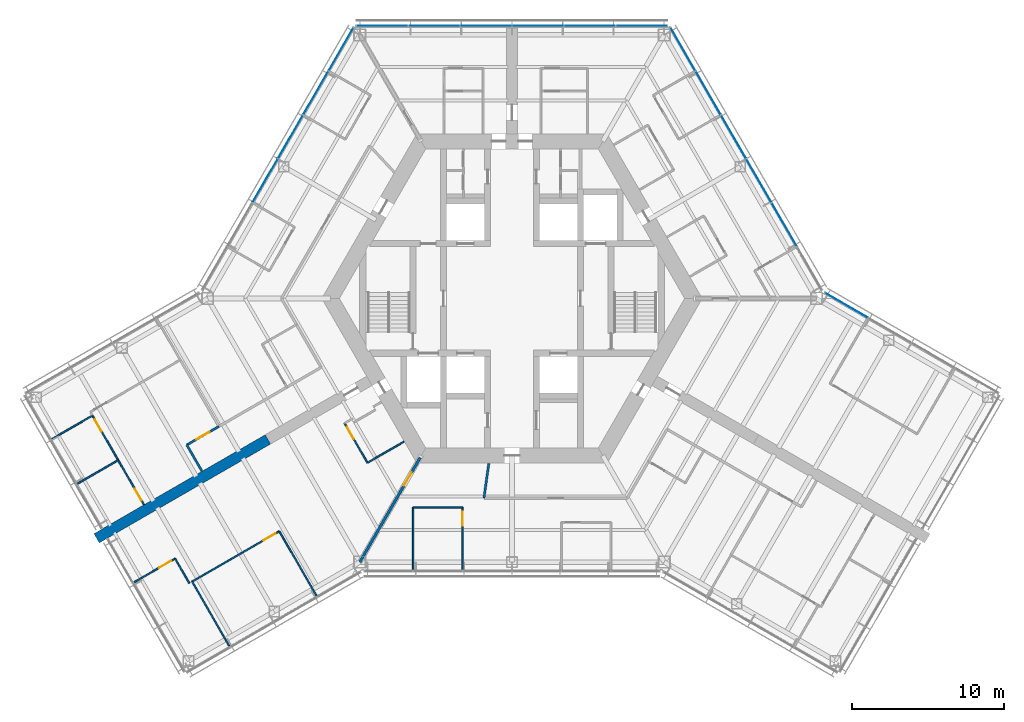
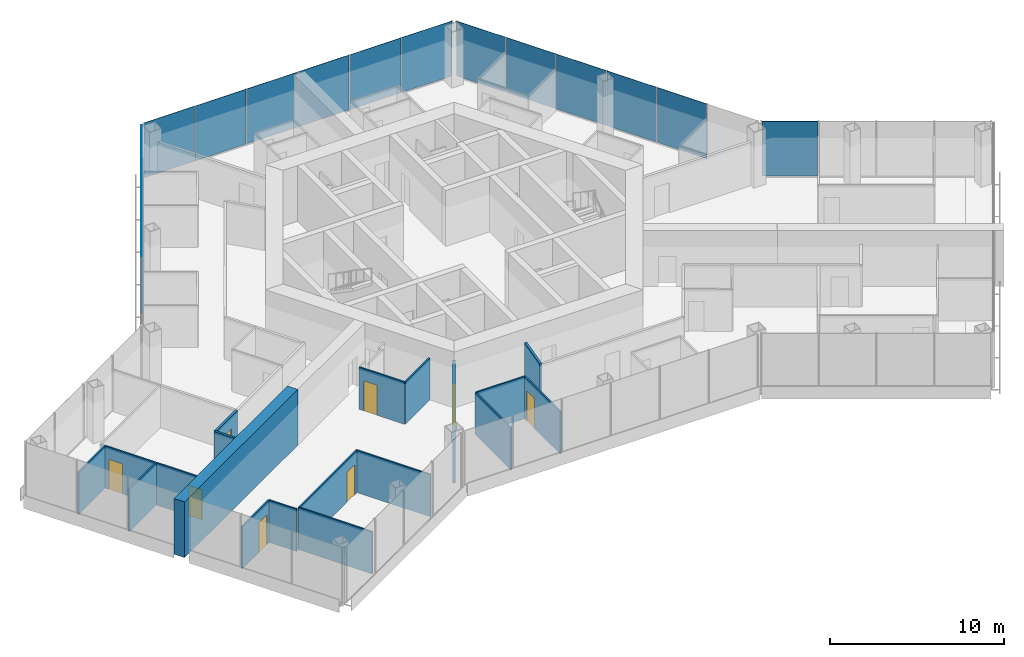
# One storey, part 11 of 19: 19 walls, 16 plates, 8 doors, 8 openings, 4 elements without a shape of their own.
"""IFC4 building model written with IfcOpenShell, lengths in metres."""

from ifc_helpers import new_model, si_unit, direction, frame, frame_2d, origin, origin_2d, place, context, subcontext, project, spatial, rectangle, extrude, material, layer, layer_set, type_object, element, fill, aggregate, save


model = new_model("IFC4")

# Units and contexts
model_context = context("Model", 3, precision=1e-05, world=origin(), true_north=direction((0.0, 1.0)))
body_context = subcontext(model_context, "Body", "Model", "MODEL_VIEW")
ifc_project = project(units=[si_unit("LENGTHUNIT", "METRE"), si_unit("AREAUNIT", "SQUARE_METRE"), si_unit("VOLUMEUNIT", "CUBIC_METRE"), si_unit("PLANEANGLEUNIT", "RADIAN"), si_unit("MASSUNIT", "GRAM", prefix="KILO")], contexts=[model_context])

# Site, building, storey
site_placement = place(None, origin())
site = spatial("IfcSite", under=ifc_project, at=site_placement, CompositionType="ELEMENT")
building_placement = place(site_placement, origin())
building = spatial("IfcBuilding", under=site, at=building_placement, Name="Kasaneha Research Tower", CompositionType="ELEMENT")
storey_placement = place(building_placement, frame((0.0, 0.0, 160.39990234375)))
storey = spatial("IfcBuildingStorey", under=building, at=storey_placement, Name="L40", CompositionType="ELEMENT", Elevation=160.39990234375)

# Curtain wall, plate
ifc_material_1 = material(Name="Glass and aluminium", Category="aluminium")
curtain_wall_type = type_object("IfcCurtainWallType", Name="Mid-rise office curtain wall", PredefinedType="USERDEFINED", material=ifc_material_1)
curtain_wall_1_placement = place(storey_placement, origin())
curtain_wall_1 = element("IfcCurtainWall", 1, at=curtain_wall_1_placement, inside=storey, type_object=curtain_wall_type, Name="CW-O2 L40 run 05a", ObjectType="UNITISED CURTAIN WALL", PredefinedType="USERDEFINED")
ifc_material_2 = material(Name="Laminated double glazing", Category="glass")
ifc_layer_1 = layer(ifc_material_2, 0.02587890625)
ifc_layer_set_1 = layer_set([ifc_layer_1], Name="CW-O2 glazed panel")
plate_type = type_object("IfcPlateType", Name="CW-O2 glazed panel", PredefinedType="CURTAIN_PANEL", material=ifc_layer_set_1)
plate_1_placement = place(storey_placement, frame((21.971923828125, -0.44580078125, 0.06005859375), z_axis=(0.0, 0.0, 1.0), x_axis=(-0.866025411464, 0.499999986699, 0.0)))
plate_1 = element("IfcPlate", 2, at=plate_1_placement, type_object=plate_type, Name="CW-O2 panel 4", PredefinedType="CURTAIN_PANEL", context=body_context, shape_type="SweptSolid", body=[
    extrude(rectangle(XDim=3.2197265625, YDim=0.02587890625, at=origin_2d()), origin(), (0.0, 0.0, 1.0), 3.840087890625),
])
aggregate(curtain_wall_1, [plate_1])

# Curtain wall, plates
curtain_wall_2_placement = place(storey_placement, origin())
curtain_wall_2 = element("IfcCurtainWall", 3, at=curtain_wall_2_placement, inside=storey, type_object=curtain_wall_type, Name="CW-O2 L40 run 06a", ObjectType="UNITISED CURTAIN WALL", PredefinedType="USERDEFINED")
plate_2_placement = place(storey_placement, frame((17.89111328125, 4.852783203125, 0.06005859375), z_axis=(0.0, 0.0, 1.0), x_axis=(-0.499999979232, 0.866025415775, 0.0)))
plate_2 = element("IfcPlate", 4, at=plate_2_placement, type_object=plate_type, Name="CW-O2 panel 2", PredefinedType="CURTAIN_PANEL", context=body_context, shape_type="SweptSolid", body=[
    extrude(rectangle(XDim=3.27099609375, YDim=0.02587890625, at=origin_2d()), origin(), (0.0, 0.0, 1.0), 3.840087890625),
])
plate_3_placement = place(storey_placement, frame((16.2255859375, 7.737548828125, 0.06005859375), z_axis=(0.0, 0.0, 1.0), x_axis=(-0.499999979232, 0.866025415775, 0.0)))
plate_3 = element("IfcPlate", 5, at=plate_3_placement, type_object=plate_type, Name="CW-O2 panel 3", PredefinedType="CURTAIN_PANEL", context=body_context, shape_type="SweptSolid", body=[
    extrude(rectangle(XDim=3.27099609375, YDim=0.02587890625, at=origin_2d()), origin(), (0.0, 0.0, 1.0), 3.840087890625),
])
plate_4_placement = place(storey_placement, frame((14.56005859375, 10.622314453125, 0.06005859375), z_axis=(0.0, 0.0, 1.0), x_axis=(-0.499999979232, 0.866025415775, 0.0)))
plate_4 = element("IfcPlate", 6, at=plate_4_placement, type_object=plate_type, Name="CW-O2 panel 4", PredefinedType="CURTAIN_PANEL", context=body_context, shape_type="SweptSolid", body=[
    extrude(rectangle(XDim=3.27099609375, YDim=0.02587890625, at=origin_2d()), origin(), (0.0, 0.0, 1.0), 3.840087890625),
])
plate_5_placement = place(storey_placement, frame((12.89453125, 13.5068359375, 0.06005859375), z_axis=(0.0, 0.0, 1.0), x_axis=(-0.499999979232, 0.866025415775, 0.0)))
plate_5 = element("IfcPlate", 7, at=plate_5_placement, type_object=plate_type, Name="CW-O2 panel 5", PredefinedType="CURTAIN_PANEL", context=body_context, shape_type="SweptSolid", body=[
    extrude(rectangle(XDim=3.27099609375, YDim=0.02587890625, at=origin_2d()), origin(), (0.0, 0.0, 1.0), 3.840087890625),
])
plate_6_placement = place(storey_placement, frame((11.236572265625, 16.378662109375, 0.06005859375), z_axis=(0.0, 0.0, 1.0), x_axis=(-0.499999979232, 0.866025415775, 0.0)))
plate_6 = element("IfcPlate", 8, at=plate_6_placement, type_object=plate_type, Name="CW-O2 panel 6", PredefinedType="CURTAIN_PANEL", context=body_context, shape_type="SweptSolid", body=[
    extrude(rectangle(XDim=3.240966796875, YDim=0.02587890625, at=origin_2d()), origin(), (0.0, 0.0, 1.0), 3.840087890625),
])
aggregate(curtain_wall_2, [plate_2, plate_3, plate_4, plate_5, plate_6])

curtain_wall_3_placement = place(storey_placement, origin())
curtain_wall_3 = element("IfcCurtainWall", 9, at=curtain_wall_3_placement, inside=storey, type_object=curtain_wall_type, Name="CW-O2 L40 run 07a", ObjectType="UNITISED CURTAIN WALL", PredefinedType="USERDEFINED")
plate_7_placement = place(storey_placement, frame((8.523681640625, 17.92041015625, 0.06005859375), z_axis=(0.0, 0.0, 1.0), x_axis=(-1.0, 0.0, 0.0)))
plate_7 = element("IfcPlate", 10, at=plate_7_placement, type_object=plate_type, Name="CW-O2 panel 1", PredefinedType="CURTAIN_PANEL", context=body_context, shape_type="SweptSolid", body=[
    extrude(rectangle(XDim=3.325439453125, YDim=0.02587890625, at=origin_2d()), origin(), (0.0, 0.0, 1.0), 3.840087890625),
])
plate_8_placement = place(storey_placement, frame((5.123291015625, 17.92041015625, 0.06005859375), z_axis=(0.0, 0.0, 1.0), x_axis=(-1.0, 0.0, 0.0)))
plate_8 = element("IfcPlate", 11, at=plate_8_placement, type_object=plate_type, Name="CW-O2 panel 2", PredefinedType="CURTAIN_PANEL", context=body_context, shape_type="SweptSolid", body=[
    extrude(rectangle(XDim=3.35546875, YDim=0.02587890625, at=origin_2d()), origin(), (0.0, 0.0, 1.0), 3.840087890625),
])
plate_9_placement = place(storey_placement, frame((1.707763671875, 17.92041015625, 0.06005859375), z_axis=(0.0, 0.0, 1.0), x_axis=(-1.0, 0.0, 0.0)))
plate_9 = element("IfcPlate", 12, at=plate_9_placement, type_object=plate_type, Name="CW-O2 panel 3", PredefinedType="CURTAIN_PANEL", context=body_context, shape_type="SweptSolid", body=[
    extrude(rectangle(XDim=3.35546875, YDim=0.02587890625, at=origin_2d()), origin(), (0.0, 0.0, 1.0), 3.840087890625),
])
plate_10_placement = place(storey_placement, frame((-1.707763671875, 17.92041015625, 0.06005859375), z_axis=(0.0, 0.0, 1.0), x_axis=(-1.0, 0.0, 0.0)))
plate_10 = element("IfcPlate", 13, at=plate_10_placement, type_object=plate_type, Name="CW-O2 panel 4", PredefinedType="CURTAIN_PANEL", context=body_context, shape_type="SweptSolid", body=[
    extrude(rectangle(XDim=3.35546875, YDim=0.02587890625, at=origin_2d()), origin(), (0.0, 0.0, 1.0), 3.840087890625),
])
plate_11_placement = place(storey_placement, frame((-5.123291015625, 17.92041015625, 0.06005859375), z_axis=(0.0, 0.0, 1.0), x_axis=(-1.0, 0.0, 0.0)))
plate_11 = element("IfcPlate", 14, at=plate_11_placement, type_object=plate_type, Name="CW-O2 panel 5", PredefinedType="CURTAIN_PANEL", context=body_context, shape_type="SweptSolid", body=[
    extrude(rectangle(XDim=3.35546875, YDim=0.02587890625, at=origin_2d()), origin(), (0.0, 0.0, 1.0), 3.840087890625),
])
plate_12_placement = place(storey_placement, frame((-8.523681640625, 17.92041015625, 0.06005859375), z_axis=(0.0, 0.0, 1.0), x_axis=(-1.0, 0.0, 0.0)))
plate_12 = element("IfcPlate", 15, at=plate_12_placement, type_object=plate_type, Name="CW-O2 panel 6", PredefinedType="CURTAIN_PANEL", context=body_context, shape_type="SweptSolid", body=[
    extrude(rectangle(XDim=3.325439453125, YDim=0.02587890625, at=origin_2d()), origin(), (0.0, 0.0, 1.0), 3.840087890625),
])
aggregate(curtain_wall_3, [plate_7, plate_8, plate_9, plate_10, plate_11, plate_12])

curtain_wall_4_placement = place(storey_placement, origin())
curtain_wall_4 = element("IfcCurtainWall", 16, at=curtain_wall_4_placement, inside=storey, type_object=curtain_wall_type, Name="CW-O2 L40 run 08a", ObjectType="UNITISED CURTAIN WALL", PredefinedType="USERDEFINED")
plate_13_placement = place(storey_placement, frame((-11.236572265625, 16.378662109375, 0.06005859375), z_axis=(0.0, 0.0, 1.0), x_axis=(-0.499999979232, -0.866025415775, 0.0)))
plate_13 = element("IfcPlate", 17, at=plate_13_placement, type_object=plate_type, Name="CW-O2 panel 1", PredefinedType="CURTAIN_PANEL", context=body_context, shape_type="SweptSolid", body=[
    extrude(rectangle(XDim=3.240966796875, YDim=0.02587890625, at=origin_2d()), origin(), (0.0, 0.0, 1.0), 3.840087890625),
])
plate_14_placement = place(storey_placement, frame((-12.89453125, 13.5068359375, 0.06005859375), z_axis=(0.0, 0.0, 1.0), x_axis=(-0.499999979232, -0.866025415775, 0.0)))
plate_14 = element("IfcPlate", 18, at=plate_14_placement, type_object=plate_type, Name="CW-O2 panel 2", PredefinedType="CURTAIN_PANEL", context=body_context, shape_type="SweptSolid", body=[
    extrude(rectangle(XDim=3.27099609375, YDim=0.02587890625, at=origin_2d()), origin(), (0.0, 0.0, 1.0), 3.840087890625),
])
plate_15_placement = place(storey_placement, frame((-14.56005859375, 10.622314453125, 0.06005859375), z_axis=(0.0, 0.0, 1.0), x_axis=(-0.499999979232, -0.866025415775, 0.0)))
plate_15 = element("IfcPlate", 19, at=plate_15_placement, type_object=plate_type, Name="CW-O2 panel 3", PredefinedType="CURTAIN_PANEL", context=body_context, shape_type="SweptSolid", body=[
    extrude(rectangle(XDim=3.27099609375, YDim=0.02587890625, at=origin_2d()), origin(), (0.0, 0.0, 1.0), 3.840087890625),
])
plate_16_placement = place(storey_placement, frame((-16.2255859375, 7.737548828125, 0.06005859375), z_axis=(0.0, 0.0, 1.0), x_axis=(-0.499999979232, -0.866025415775, 0.0)))
plate_16 = element("IfcPlate", 20, at=plate_16_placement, type_object=plate_type, Name="CW-O2 panel 4", PredefinedType="CURTAIN_PANEL", context=body_context, shape_type="SweptSolid", body=[
    extrude(rectangle(XDim=3.27099609375, YDim=0.02587890625, at=origin_2d()), origin(), (0.0, 0.0, 1.0), 3.840087890625),
])
aggregate(curtain_wall_4, [plate_13, plate_14, plate_15, plate_16])

# Walls
ifc_material_3 = material(Name="Gypsum board on steel studs, one layer each side", Category="steel")
ifc_layer_2 = layer(ifc_material_3, 0.10009765625)
ifc_layer_set_2 = layer_set([ifc_layer_2], Name="Office partition 100")
wall_type_1 = type_object("IfcWallType", Name="Office partition 100", PredefinedType="PARTITIONING", material=ifc_layer_set_2)
wall_1_placement = place(storey_placement, frame((-27.56689453125, -7.6923828125, 0.0), z_axis=(0.0, 0.0, 1.0), x_axis=(-0.86525260674, -0.501336141256, 0.0)))
element("IfcWall", 21, at=wall_1_placement, inside=storey, type_object=wall_type_1, Name="Office partition FBN09 L40", PredefinedType="PARTITIONING", context=body_context, shape_type="SweptSolid", body=[
    extrude(rectangle(XDim=3.08056640625, YDim=0.10009765625, at=frame_2d((1.540283203125, 0.0))), origin(), (0.0, 0.0, 1.0), 2.9501953125),
])
wall_2_placement = place(storey_placement, frame((-25.875732421875, -10.622802734375, 0.0), z_axis=(0.0, 0.0, 1.0), x_axis=(-0.865212673937, -0.50140505468, 0.0)))
element("IfcWall", 22, at=wall_2_placement, inside=storey, type_object=wall_type_1, Name="Office partition FBN12 L40", PredefinedType="PARTITIONING", context=body_context, shape_type="SweptSolid", body=[
    extrude(rectangle(XDim=3.10498046875, YDim=0.10009765625, at=frame_2d((1.552490234375, 0.0))), origin(), (0.0, 0.0, 1.0), 2.9501953125),
])

# Wall, opening, door
wall_3_placement = place(storey_placement, frame((-27.568603515625, -7.698974609375, 0.0), z_axis=(0.0, 0.0, 1.0), x_axis=(0.49998062928, -0.866036587186, 0.0)))
wall_3 = element("IfcWall", 23, at=wall_3_placement, inside=storey, type_object=wall_type_1, Name="Office partition FBN13 L40", PredefinedType="PARTITIONING", context=body_context, shape_type="SweptSolid", body=[
    extrude(rectangle(XDim=3.383544921875, YDim=0.10009765625, at=frame_2d((1.69189453125, 0.0))), origin(), (0.0, 0.0, 1.0), 2.9501953125),
])
opening_1_placement = place(wall_3_placement, frame((0.300048828125, 0.0, 0.0)))
opening_1 = element("IfcOpeningElement", 24, at=opening_1_placement, cuts=wall_3, Name="Opening L40-D38", PredefinedType="OPENING", context=body_context, shape_type="SweptSolid", body=[
    extrude(rectangle(XDim=0.89990234375, YDim=2.10009765625, at=frame_2d((0.449951171875, 1.050048828125))), frame((0.0, 0.06005859375, 0.0), z_axis=(0.0, -1.0, 0.0), x_axis=(1.0, 0.0, 0.0)), (0.0, 0.0, 1.0), 0.1201171875),
])
ifc_material_4 = material(Name="Timber veneer", Category="wood")
door_type_1 = type_object("IfcDoorType", Name="Office door 900x2100", OperationType="SINGLE_SWING_LEFT", PredefinedType="DOOR", material=ifc_material_4)
door_1_placement = place(opening_1_placement, origin())
door_1 = element("IfcDoor", 25, at=door_1_placement, inside=storey, type_object=door_type_1, Name="Manager's office door L40-D38", OperationType="SINGLE_SWING_LEFT", OverallHeight=2.10009765625, OverallWidth=0.89990234375, PredefinedType="DOOR", context=body_context, shape_type="SweptSolid", body=[
    extrude(rectangle(XDim=0.89990234375, YDim=2.10009765625, at=frame_2d((0.449951171875, 1.050048828125))), frame((0.0, 0.02490234375, 0.0), z_axis=(0.0, -1.0, 0.0), x_axis=(1.0, 0.0, 0.0)), (0.0, 0.0, 1.0), 0.050048828125),
])
fill(opening_1, door_1)

wall_4_placement = place(storey_placement, frame((-25.876953125, -10.629150390625, 0.0), z_axis=(0.0, 0.0, 1.0), x_axis=(0.501079190578, -0.865401435618, 0.0)))
wall_4 = element("IfcWall", 26, at=wall_4_placement, inside=storey, type_object=wall_type_1, Name="Office partition FBN14 L40", PredefinedType="PARTITIONING", context=body_context, shape_type="SweptSolid", body=[
    extrude(rectangle(XDim=3.36328125, YDim=0.10009765625, at=frame_2d((1.681640625, 0.0))), origin(), (0.0, 0.0, 1.0), 2.9501953125),
])
opening_2_placement = place(wall_4_placement, frame((2.163330078125, 0.0, 0.0)))
opening_2 = element("IfcOpeningElement", 27, at=opening_2_placement, cuts=wall_4, Name="Opening L40-D39", PredefinedType="OPENING", context=body_context, shape_type="SweptSolid", body=[
    extrude(rectangle(XDim=0.89990234375, YDim=2.10009765625, at=frame_2d((0.449951171875, 1.050048828125))), frame((0.0, 0.06005859375, 0.0), z_axis=(0.0, -1.0, 0.0), x_axis=(1.0, 0.0, 0.0)), (0.0, 0.0, 1.0), 0.1201171875),
])
door_2_placement = place(opening_2_placement, origin())
door_2 = element("IfcDoor", 28, at=door_2_placement, inside=storey, type_object=door_type_1, Name="Manager's office door L40-D39", OperationType="SINGLE_SWING_RIGHT", OverallHeight=2.10009765625, OverallWidth=0.89990234375, PredefinedType="DOOR", context=body_context, shape_type="SweptSolid", body=[
    extrude(rectangle(XDim=0.89990234375, YDim=2.10009765625, at=frame_2d((0.449951171875, 1.050048828125))), frame((0.0, 0.02490234375, 0.0), z_axis=(0.0, -1.0, 0.0), x_axis=(1.0, 0.0, 0.0)), (0.0, 0.0, 1.0), 0.050048828125),
])
fill(opening_2, door_2)

wall_5_placement = place(storey_placement, frame((-9.49951171875, -10.796142578125, 0.0), z_axis=(0.0, 0.0, 1.0), x_axis=(-0.499990139034, 0.866031096941, 0.0)))
wall_5 = element("IfcWall", 29, at=wall_5_placement, inside=storey, type_object=wall_type_1, Name="Office partition FBS03 L40", PredefinedType="PARTITIONING", context=body_context, shape_type="SweptSolid", body=[
    extrude(rectangle(XDim=3.0, YDim=0.10009765625, at=frame_2d((1.5, 0.0))), origin(), (0.0, 0.0, 1.0), 2.9501953125),
])
opening_3_placement = place(wall_5_placement, frame((1.800048828125, 0.0, 0.0)))
opening_3 = element("IfcOpeningElement", 30, at=opening_3_placement, cuts=wall_5, Name="Opening L40-D43", PredefinedType="OPENING", context=body_context, shape_type="SweptSolid", body=[
    extrude(rectangle(XDim=0.89990234375, YDim=2.10009765625, at=frame_2d((0.449951171875, 1.050048828125))), frame((0.0, 0.06005859375, 0.0), z_axis=(0.0, -1.0, 0.0), x_axis=(1.0, 0.0, 0.0)), (0.0, 0.0, 1.0), 0.1201171875),
])
door_3_placement = place(opening_3_placement, origin())
door_3 = element("IfcDoor", 31, at=door_3_placement, inside=storey, type_object=door_type_1, Name="Pantry door L40-D43", OperationType="SINGLE_SWING_RIGHT", OverallHeight=2.10009765625, OverallWidth=0.89990234375, PredefinedType="DOOR", context=body_context, shape_type="SweptSolid", body=[
    extrude(rectangle(XDim=0.89990234375, YDim=2.10009765625, at=frame_2d((0.449951171875, 1.050048828125))), frame((0.0, 0.02490234375, 0.0), z_axis=(0.0, -1.0, 0.0), x_axis=(1.0, 0.0, 0.0)), (0.0, 0.0, 1.0), 0.050048828125),
])
fill(opening_3, door_3)

# Walls
wall_6_placement = place(storey_placement, frame((-7.092041015625, -9.40625, 0.0), z_axis=(0.0, 0.0, 1.0), x_axis=(-0.86603494908, -0.499983466698, 0.0)))
element("IfcWall", 32, at=wall_6_placement, inside=storey, type_object=wall_type_1, Name="Office partition FBS05 L40", PredefinedType="PARTITIONING", context=body_context, shape_type="SweptSolid", body=[
    extrude(rectangle(XDim=2.77978515625, YDim=0.10009765625, at=frame_2d((1.389892578125, 0.0))), origin(), (0.0, 0.0, 1.0), 2.9501953125),
])
wall_7_placement = place(storey_placement, frame((-18.5849609375, -22.831298828125, 0.0), z_axis=(0.0, 0.0, 1.0), x_axis=(-0.499029341865, 0.8665850887, 0.0)))
element("IfcWall", 33, at=wall_7_placement, inside=storey, type_object=wall_type_1, Name="Office partition FBS06 L40", PredefinedType="PARTITIONING", context=body_context, shape_type="SweptSolid", body=[
    extrude(rectangle(XDim=4.880126953125, YDim=0.10009765625, at=frame_2d((2.43994140625, 0.0))), origin(), (0.0, 0.0, 1.0), 2.9501953125),
])

# Wall, opening, door
wall_8_placement = place(storey_placement, frame((-21.02294921875, -18.608642578125, 0.0), z_axis=(0.0, 0.0, 1.0), x_axis=(0.865724093718, 0.500521521571, 0.0)))
wall_8 = element("IfcWall", 34, at=wall_8_placement, inside=storey, type_object=wall_type_1, Name="Office partition FBS07 L40", PredefinedType="PARTITIONING", context=body_context, shape_type="SweptSolid", body=[
    extrude(rectangle(XDim=6.61962890625, YDim=0.10009765625, at=frame_2d((3.309814453125, 0.0))), origin(), (0.0, 0.0, 1.0), 2.9501953125),
])
opening_4_placement = place(wall_8_placement, frame((5.419677734375, 0.0, 0.0)))
opening_4 = element("IfcOpeningElement", 35, at=opening_4_placement, cuts=wall_8, Name="Opening L40-D44", PredefinedType="OPENING", context=body_context, shape_type="SweptSolid", body=[
    extrude(rectangle(XDim=0.89990234375, YDim=2.10009765625, at=frame_2d((0.449951171875, 1.050048828125))), frame((0.0, 0.06005859375, 0.0), z_axis=(0.0, -1.0, 0.0), x_axis=(1.0, 0.0, 0.0)), (0.0, 0.0, 1.0), 0.1201171875),
])
door_4_placement = place(opening_4_placement, origin())
door_4 = element("IfcDoor", 36, at=door_4_placement, inside=storey, type_object=door_type_1, Name="Meeting room door L40-D44", OperationType="SINGLE_SWING_RIGHT", OverallHeight=2.10009765625, OverallWidth=0.89990234375, PredefinedType="DOOR", context=body_context, shape_type="SweptSolid", body=[
    extrude(rectangle(XDim=0.89990234375, YDim=2.10009765625, at=frame_2d((0.449951171875, 1.050048828125))), frame((0.0, 0.02490234375, 0.0), z_axis=(0.0, -1.0, 0.0), x_axis=(1.0, 0.0, 0.0)), (0.0, 0.0, 1.0), 0.050048828125),
])
fill(opening_4, door_4)

# Wall
wall_9_placement = place(storey_placement, frame((-15.292236328125, -15.29541015625, 0.0), z_axis=(0.0, 0.0, 1.0), x_axis=(0.50002548385, -0.866010690177, 0.0)))
element("IfcWall", 37, at=wall_9_placement, inside=storey, type_object=wall_type_1, Name="Office partition FBS08 L40", PredefinedType="PARTITIONING", context=body_context, shape_type="SweptSolid", body=[
    extrude(rectangle(XDim=4.905029296875, YDim=0.10009765625, at=frame_2d((2.45263671875, 0.0))), origin(), (0.0, 0.0, 1.0), 2.9501953125),
])

# Wall, opening, door
wall_10_placement = place(storey_placement, frame((-24.8291015625, -18.64599609375, 0.0), z_axis=(0.0, 0.0, 1.0), x_axis=(0.866042875753, 0.499969736442, 0.0)))
wall_10 = element("IfcWall", 38, at=wall_10_placement, inside=storey, type_object=wall_type_1, Name="Office partition FBS09 L40", PredefinedType="PARTITIONING", context=body_context, shape_type="SweptSolid", body=[
    extrude(rectangle(XDim=3.105224609375, YDim=0.10009765625, at=frame_2d((1.552734375, 0.0))), origin(), (0.0, 0.0, 1.0), 2.9501953125),
])
opening_5_placement = place(wall_10_placement, frame((1.905029296875, 0.0, 0.0)))
opening_5 = element("IfcOpeningElement", 39, at=opening_5_placement, cuts=wall_10, Name="Opening L40-D45", PredefinedType="OPENING", context=body_context, shape_type="SweptSolid", body=[
    extrude(rectangle(XDim=0.89990234375, YDim=2.10009765625, at=frame_2d((0.449951171875, 1.050048828125))), frame((0.0, 0.06005859375, 0.0), z_axis=(0.0, -1.0, 0.0), x_axis=(1.0, 0.0, 0.0)), (0.0, 0.0, 1.0), 0.1201171875),
])
door_5_placement = place(opening_5_placement, origin())
door_5 = element("IfcDoor", 40, at=door_5_placement, inside=storey, type_object=door_type_1, Name="Project room door L40-D45", OperationType="SINGLE_SWING_RIGHT", OverallHeight=2.10009765625, OverallWidth=0.89990234375, PredefinedType="DOOR", context=body_context, shape_type="SweptSolid", body=[
    extrude(rectangle(XDim=0.89990234375, YDim=2.10009765625, at=frame_2d((0.449951171875, 1.050048828125))), frame((0.0, 0.02490234375, 0.0), z_axis=(0.0, -1.0, 0.0), x_axis=(1.0, 0.0, 0.0)), (0.0, 0.0, 1.0), 0.050048828125),
])
fill(opening_5, door_5)

# Walls
wall_11_placement = place(storey_placement, frame((-22.139892578125, -17.093505859375, 0.0), z_axis=(0.0, 0.0, 1.0), x_axis=(0.500473827914, -0.865751666226, 0.0)))
element("IfcWall", 41, at=wall_11_placement, inside=storey, type_object=wall_type_1, Name="Office partition FBS10 L40", PredefinedType="PARTITIONING", context=body_context, shape_type="SweptSolid", body=[
    extrude(rectangle(XDim=1.865478515625, YDim=0.10009765625, at=frame_2d((0.9326171875, 0.0))), origin(), (0.0, 0.0, 1.0), 2.9501953125),
])
wall_12_placement = place(storey_placement, frame((-6.492919921875, -17.800537109375, 0.0), z_axis=(0.0, 0.0, 1.0), x_axis=(0.0, 1.0, 0.0)))
element("IfcWall", 42, at=wall_12_placement, inside=storey, type_object=wall_type_1, Name="Office partition FCS17 L40", PredefinedType="PARTITIONING", context=body_context, shape_type="SweptSolid", body=[
    extrude(rectangle(XDim=4.080078125, YDim=0.10009765625, at=frame_2d((2.0400390625, 0.0))), origin(), (0.0, 0.0, 1.0), 2.9501953125),
])
wall_13_placement = place(storey_placement, frame((-6.492919921875, -13.720458984375, 0.0), z_axis=(0.0, 0.0, 1.0), x_axis=(1.0, 0.0, 0.0)))
element("IfcWall", 43, at=wall_13_placement, inside=storey, type_object=wall_type_1, Name="Office partition FCS18 L40", PredefinedType="PARTITIONING", context=body_context, shape_type="SweptSolid", body=[
    extrude(rectangle(XDim=3.24658203125, YDim=0.10009765625, at=frame_2d((1.623291015625, 0.0))), origin(), (0.0, 0.0, 1.0), 2.9501953125),
])

# Wall, opening, door
wall_14_placement = place(storey_placement, frame((-3.246337890625, -13.720458984375, 0.0), z_axis=(0.0, 0.0, 1.0), x_axis=(0.0, -1.0, 0.0)))
wall_14 = element("IfcWall", 44, at=wall_14_placement, inside=storey, type_object=wall_type_1, Name="Office partition FCS19 L40", PredefinedType="PARTITIONING", context=body_context, shape_type="SweptSolid", body=[
    extrude(rectangle(XDim=4.130126953125, YDim=0.10009765625, at=frame_2d((2.06494140625, 0.0))), origin(), (0.0, 0.0, 1.0), 2.9501953125),
])
opening_6_placement = place(wall_14_placement, frame((0.300048828125, 0.0, 0.0)))
opening_6 = element("IfcOpeningElement", 45, at=opening_6_placement, cuts=wall_14, Name="Opening L40-D53", PredefinedType="OPENING", context=body_context, shape_type="SweptSolid", body=[
    extrude(rectangle(XDim=0.89990234375, YDim=2.10009765625, at=frame_2d((0.449951171875, 1.050048828125))), frame((0.0, 0.06005859375, 0.0), z_axis=(0.0, -1.0, 0.0), x_axis=(1.0, 0.0, 0.0)), (0.0, 0.0, 1.0), 0.1201171875),
])
door_6_placement = place(opening_6_placement, origin())
door_6 = element("IfcDoor", 46, at=door_6_placement, inside=storey, type_object=door_type_1, Name="Manager's office door L40-D53", OperationType="SINGLE_SWING_LEFT", OverallHeight=2.10009765625, OverallWidth=0.89990234375, PredefinedType="DOOR", context=body_context, shape_type="SweptSolid", body=[
    extrude(rectangle(XDim=0.89990234375, YDim=2.10009765625, at=frame_2d((0.449951171875, 1.050048828125))), frame((0.0, 0.02490234375, 0.0), z_axis=(0.0, -1.0, 0.0), x_axis=(1.0, 0.0, 0.0)), (0.0, 0.0, 1.0), 0.050048828125),
])
fill(opening_6, door_6)

# Wall
ifc_material_5 = material(Name="Concrete Fc70", Category="concrete")
ifc_layer_3 = layer(ifc_material_5, 0.699951171875)
ifc_layer_set_3 = layer_set([ifc_layer_3], Name="Spine wall 700 Fc70")
wall_type_2 = type_object("IfcWallType", Name="Spine wall 700 Fc70", PredefinedType="SHEAR", material=ifc_layer_set_3)
wall_15_placement = place(storey_placement, frame((-16.039306640625, -9.26025390625, 0.0), z_axis=(0.0, 0.0, 1.0), x_axis=(-0.866024837091, -0.50000098154, 0.0)))
element("IfcWall", 47, at=wall_15_placement, inside=storey, type_object=wall_type_2, Name="Spine wall B wing L40", PredefinedType="SHEAR", context=body_context, shape_type="SweptSolid", body=[
    extrude(rectangle(XDim=13.0, YDim=0.699951171875, at=frame_2d((6.5, 0.0))), origin(), (0.0, 0.0, 1.0), 3.900146484375),
])

# Wall, opening, door
ifc_material_6 = material(Name="Gypsum board on steel studs, two layers each side", Category="steel")
ifc_layer_4 = layer(ifc_material_6, 0.14990234375)
ifc_layer_set_4 = layer_set([ifc_layer_4], Name="Suite partition 150")
wall_type_3 = type_object("IfcWallType", Name="Suite partition 150", PredefinedType="PARTITIONING", material=ifc_layer_set_4)
wall_16_placement = place(storey_placement, frame((-21.37109375, -9.625, 0.0), z_axis=(0.0, 0.0, 1.0), x_axis=(0.866043624834, 0.499968438888, 0.0)))
wall_16 = element("IfcWall", 48, at=wall_16_placement, inside=storey, type_object=wall_type_3, Name="Suite partition FBN07 L40", PredefinedType="PARTITIONING", context=body_context, shape_type="SweptSolid", body=[
    extrude(rectangle(XDim=2.434326171875, YDim=0.14990234375, at=frame_2d((1.21728515625, 0.0))), origin(), (0.0, 0.0, 1.0), 2.9501953125),
])
opening_7_placement = place(wall_16_placement, frame((0.71728515625, 0.0, 0.0)))
opening_7 = element("IfcOpeningElement", 49, at=opening_7_placement, cuts=wall_16, Name="Opening L40-D36", PredefinedType="OPENING", context=body_context, shape_type="SweptSolid", body=[
    extrude(rectangle(XDim=1.0, YDim=2.10009765625, at=frame_2d((0.5, 1.050048828125))), frame((0.0, 0.0849609375, 0.0), z_axis=(0.0, -1.0, 0.0), x_axis=(1.0, 0.0, 0.0)), (0.0, 0.0, 1.0), 0.169921875),
])
ifc_material_7 = material(Name="Steel", Category="steel")
door_type_2 = type_object("IfcDoorType", Name="Suite entrance door FD60 1000x2100", OperationType="NOTDEFINED", PredefinedType="DOOR", material=ifc_material_7)
door_7_placement = place(opening_7_placement, origin())
door_7 = element("IfcDoor", 50, at=door_7_placement, inside=storey, type_object=door_type_2, Name="Suite entrance door L40-D36", OperationType="SINGLE_SWING_LEFT", OverallHeight=2.10009765625, OverallWidth=1.0, PredefinedType="DOOR", context=body_context, shape_type="SweptSolid", body=[
    extrude(rectangle(XDim=1.0, YDim=2.10009765625, at=frame_2d((0.5, 1.050048828125))), frame((0.0, 0.02490234375, 0.0), z_axis=(0.0, -1.0, 0.0), x_axis=(1.0, 0.0, 0.0)), (0.0, 0.0, 1.0), 0.050048828125),
])
fill(opening_7, door_7)

# Walls
wall_17_placement = place(storey_placement, frame((-20.381103515625, -11.33984375, 0.0), z_axis=(0.0, 0.0, 1.0), x_axis=(-0.499971491109, 0.866041862775, 0.0)))
element("IfcWall", 51, at=wall_17_placement, inside=storey, type_object=wall_type_3, Name="Suite partition FBN08 L40", PredefinedType="PARTITIONING", context=body_context, shape_type="SweptSolid", body=[
    extrude(rectangle(XDim=1.97998046875, YDim=0.14990234375, at=frame_2d((0.989990234375, 0.0))), origin(), (0.0, 0.0, 1.0), 2.9501953125),
])
wall_18_placement = place(storey_placement, frame((-1.844482421875, -13.125, 0.0), z_axis=(0.0, 0.0, 1.0), x_axis=(0.139119980631, 0.990275532864, 0.0)))
element("IfcWall", 52, at=wall_18_placement, inside=storey, type_object=wall_type_3, Name="Suite partition FCS03 L40", PredefinedType="PARTITIONING", context=body_context, shape_type="SweptSolid", body=[
    extrude(rectangle(XDim=2.302490234375, YDim=0.14990234375, at=frame_2d((1.1513671875, 0.0))), origin(), (0.0, 0.0, 1.0), 2.9501953125),
])

# Wall, opening, door
ifc_material_8 = material(Name="Gypsum board on steel studs, two layers each side", Category="steel")
ifc_layer_5 = layer(ifc_material_8, 0.175048828125)
ifc_layer_set_5 = layer_set([ifc_layer_5], Name="Tenancy fire partition 175")
wall_type_4 = type_object("IfcWallType", Name="Tenancy fire partition 175", PredefinedType="PARTITIONING", material=ifc_layer_set_5)
wall_19_placement = place(storey_placement, frame((-6.034912109375, -10.45263671875, 0.0), z_axis=(0.0, 0.0, 1.0), x_axis=(-0.499989830942, -0.866031274813, 0.0)))
wall_19 = element("IfcWall", 53, at=wall_19_placement, inside=storey, type_object=wall_type_4, Name="Tenancy fire partition T240 L40", PredefinedType="PARTITIONING", context=body_context, shape_type="SweptSolid", body=[
    extrude(rectangle(XDim=7.930419921875, YDim=0.175048828125, at=frame_2d((3.96533203125, 0.0))), origin(), (0.0, 0.0, 1.0), 3.050048828125),
])
opening_8_placement = place(wall_19_placement, frame((1.1298828125, 0.0, 0.0)))
opening_8 = element("IfcOpeningElement", 54, at=opening_8_placement, cuts=wall_19, Name="Opening L40-D26", PredefinedType="OPENING", context=body_context, shape_type="SweptSolid", body=[
    extrude(rectangle(XDim=1.0, YDim=2.10009765625, at=frame_2d((0.5, 1.050048828125))), frame((0.0, 0.09765625, 0.0), z_axis=(0.0, -1.0, 0.0), x_axis=(1.0, 0.0, 0.0)), (0.0, 0.0, 1.0), 0.195068359375),
])
door_8_placement = place(opening_8_placement, origin())
door_8 = element("IfcDoor", 55, at=door_8_placement, inside=storey, type_object=door_type_2, Name="Connecting door L40-D26", OperationType="SINGLE_SWING_LEFT", OverallHeight=2.10009765625, OverallWidth=1.0, PredefinedType="DOOR", context=body_context, shape_type="SweptSolid", body=[
    extrude(rectangle(XDim=1.0, YDim=2.10009765625, at=frame_2d((0.5, 1.050048828125))), frame((0.0, 0.02490234375, 0.0), z_axis=(0.0, -1.0, 0.0), x_axis=(1.0, 0.0, 0.0)), (0.0, 0.0, 1.0), 0.050048828125),
])
fill(opening_8, door_8)

save(model, "model.ifc")
